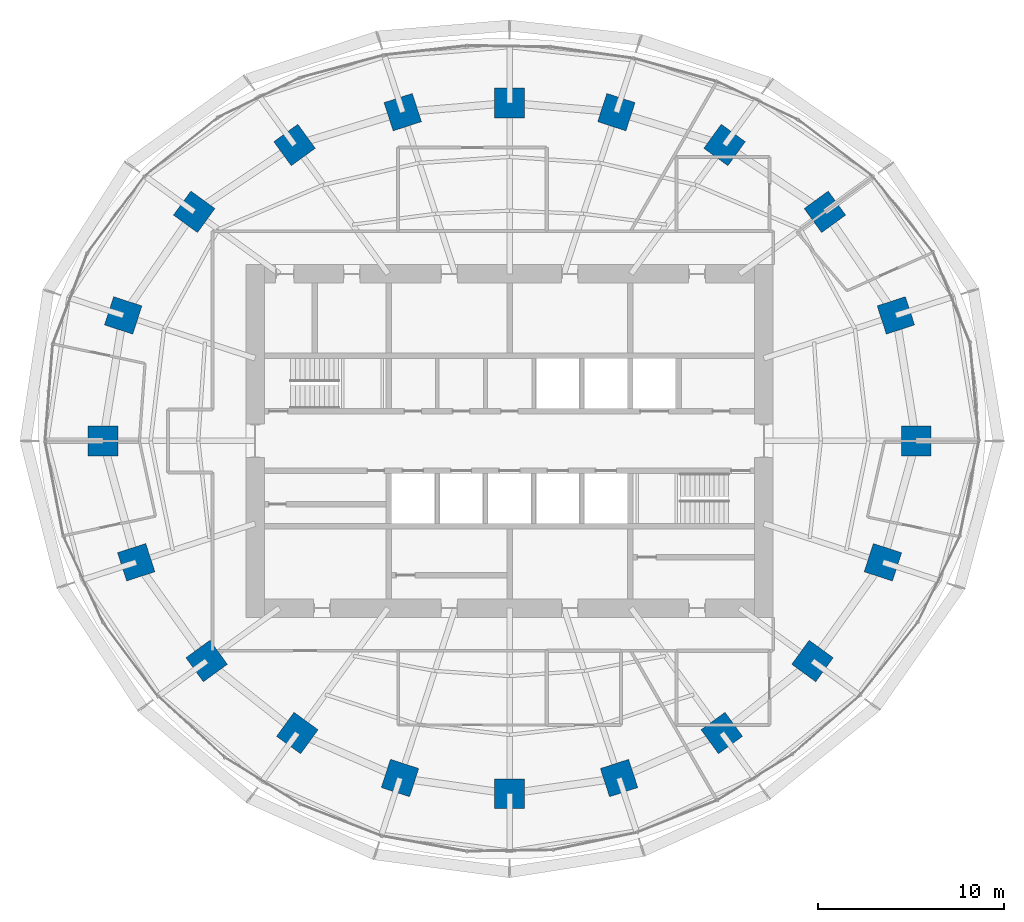
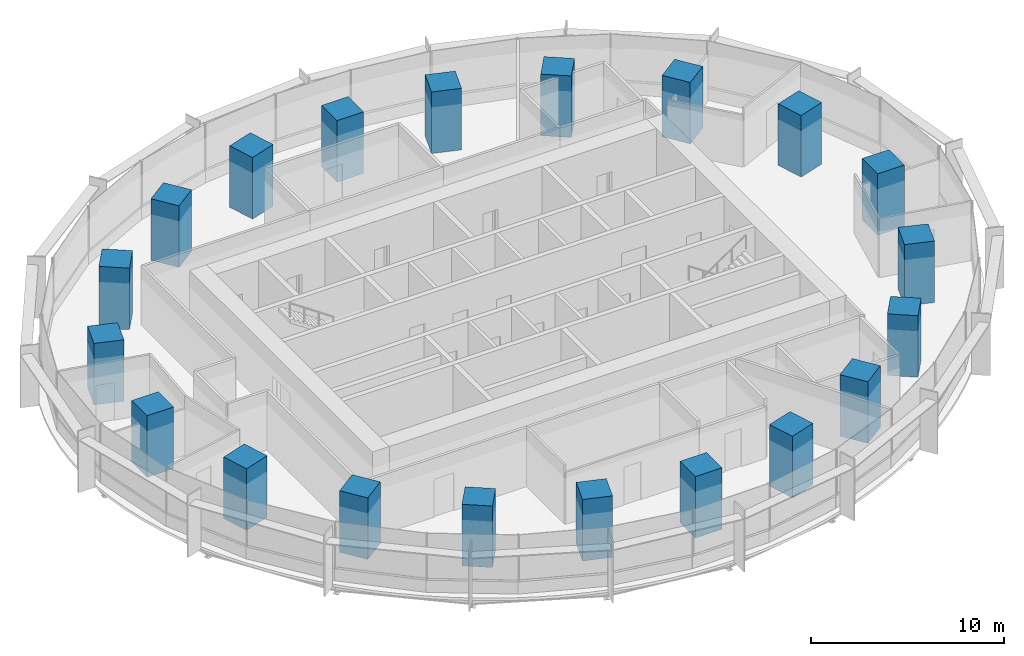
# One storey, part 1 of 14: 20 columns.
"""IFC4 building model written with IfcOpenShell, lengths in metres."""

from ifc_helpers import new_model, si_unit, direction, frame, origin, origin_2d, place, context, subcontext, project, spatial, rectangle, extrude, material, material_profile, profile_set, type_object, element, save


model = new_model("IFC4")

# Units and contexts
model_context = context("Model", 3, precision=1e-05, world=origin(), true_north=direction((0.0, 1.0)))
body_context = subcontext(model_context, "Body", "Model", "MODEL_VIEW")
ifc_project = project(units=[si_unit("LENGTHUNIT", "METRE"), si_unit("AREAUNIT", "SQUARE_METRE"), si_unit("VOLUMEUNIT", "CUBIC_METRE"), si_unit("PLANEANGLEUNIT", "RADIAN"), si_unit("MASSUNIT", "GRAM", prefix="KILO")], contexts=[model_context])

# Site, building, storey
site_placement = place(None, origin())
site = spatial("IfcSite", under=ifc_project, at=site_placement, CompositionType="ELEMENT")
building_placement = place(site_placement, origin())
building = spatial("IfcBuilding", under=site, at=building_placement, Name="Marramba Exchange Tower", CompositionType="ELEMENT")
storey_placement = place(building_placement, frame((0.0, 0.0, 147.0)))
storey = spatial("IfcBuildingStorey", under=building, at=storey_placement, Name="L35", CompositionType="ELEMENT", Elevation=147.0)

# Columns
ifc_material = material(Name="Concrete N50", Category="concrete")
ifc_material_profile = material_profile(ifc_material, rectangle(XDim=1.60009765625, YDim=1.60009765625, at=origin_2d()), Name="RC 1600x1600")
ifc_profile_set = profile_set([ifc_material_profile], Name="Concrete N50")
column_type = type_object("IfcColumnType", Name="Perimeter column RC 1600x1600 N50", PredefinedType="COLUMN", material=ifc_profile_set)
for number, where, z_axis, x_axis, name in (
    (1, (21.89990234375, 0.0, 0.0), (0.0, 0.0, 1.0), (1.0, 0.0, 0.0), "Column TC01 L35"),
    (2, (20.808349609375, 6.760986328125, 0.0), (0.0, 0.0, 1.0), (0.951056516295, 0.309016994375, 0.0), "Column TC02 L35"),
    (3, (16.98583984375, 12.3408203125, 0.0), (0.0, 0.0, 1.0), (0.809016994375, 0.587785252292, 0.0), "Column TC03 L35"),
    (4, (11.581298828125, 15.9404296875, 0.0), (0.0, 0.0, 1.0), (0.587785252292, 0.809016994375, 0.0), "Column TC04 L35"),
    (5, (5.75390625, 17.70849609375, 0.0), (0.0, 0.0, 1.0), (0.309016994375, 0.951056516295, 0.0), "Column TC05 L35"),
    (6, (0.0, 18.2041015625, 0.0), (0.0, 0.0, 1.0), (0.0, 1.0, 0.0), "Column TC06 L35"),
    (7, (-5.75390625, 17.70849609375, 0.0), (0.0, 0.0, 1.0), (-0.309016994375, 0.951056516295, 0.0), "Column TC07 L35"),
    (8, (-11.581298828125, 15.9404296875, 0.0), (0.0, 0.0, 1.0), (-0.587785252292, 0.809016994375, 0.0), "Column TC08 L35"),
    (9, (-16.98583984375, 12.3408203125, 0.0), (0.0, 0.0, 1.0), (-0.809016994375, 0.587785252292, 0.0), "Column TC09 L35"),
    (10, (-20.808349609375, 6.760986328125, 0.0), (0.0, 0.0, 1.0), (-0.951056516295, 0.309016994375, 0.0), "Column TC10 L35"),
    (11, (-21.89990234375, 0.0, 0.0), (0.0, 0.0, 1.0), (-1.0, 0.0, 0.0), "Column TC11 L35"),
    (12, (-20.109375, -6.533935546875, 0.0), (0.0, 0.0, 1.0), (-0.951056516295, -0.309016994375, 0.0), "Column TC12 L35"),
    (13, (-16.3154296875, -11.853759765625, 0.0), (0.0, 0.0, 1.0), (-0.809016994375, -0.587785252292, 0.0), "Column TC13 L35"),
    (14, (-11.430419921875, -15.732666015625, 0.0), (0.0, 0.0, 1.0), (-0.587785252292, -0.809016994375, 0.0), "Column TC14 L35"),
    (15, (-5.899658203125, -18.156982421875, 0.0), (0.0, 0.0, 1.0), (-0.309016994375, -0.951056516295, 0.0), "Column TC15 L35"),
    (16, (0.0, -18.99609375, 0.0), (0.0, 0.0, 1.0), (0.0, -1.0, 0.0), "Column TC16 L35"),
    (17, (5.899658203125, -18.156982421875, 0.0), (0.0, 0.0, 1.0), (0.309016994375, -0.951056516295, 0.0), "Column TC17 L35"),
    (18, (11.430419921875, -15.732666015625, 0.0), (0.0, 0.0, 1.0), (0.587785252292, -0.809016994375, 0.0), "Column TC18 L35"),
    (19, (16.3154296875, -11.853759765625, 0.0), (0.0, 0.0, 1.0), (0.809016994375, -0.587785252292, 0.0), "Column TC19 L35"),
    (20, (20.109375, -6.533935546875, 0.0), (0.0, 0.0, 1.0), (0.951056516295, -0.309016994375, 0.0), "Column TC20 L35"),
):
    element("IfcColumn", number, at=place(storey_placement, frame(where, z_axis=z_axis, x_axis=x_axis)), inside=storey, type_object=column_type, Name=name, PredefinedType="COLUMN", context=body_context, shape_type="SweptSolid", body=[
        extrude(rectangle(XDim=1.60009765625, YDim=1.60009765625, at=origin_2d()), origin(), (0.0, 0.0, 1.0), 3.89990234375),
    ])

save(model, "model.ifc")
